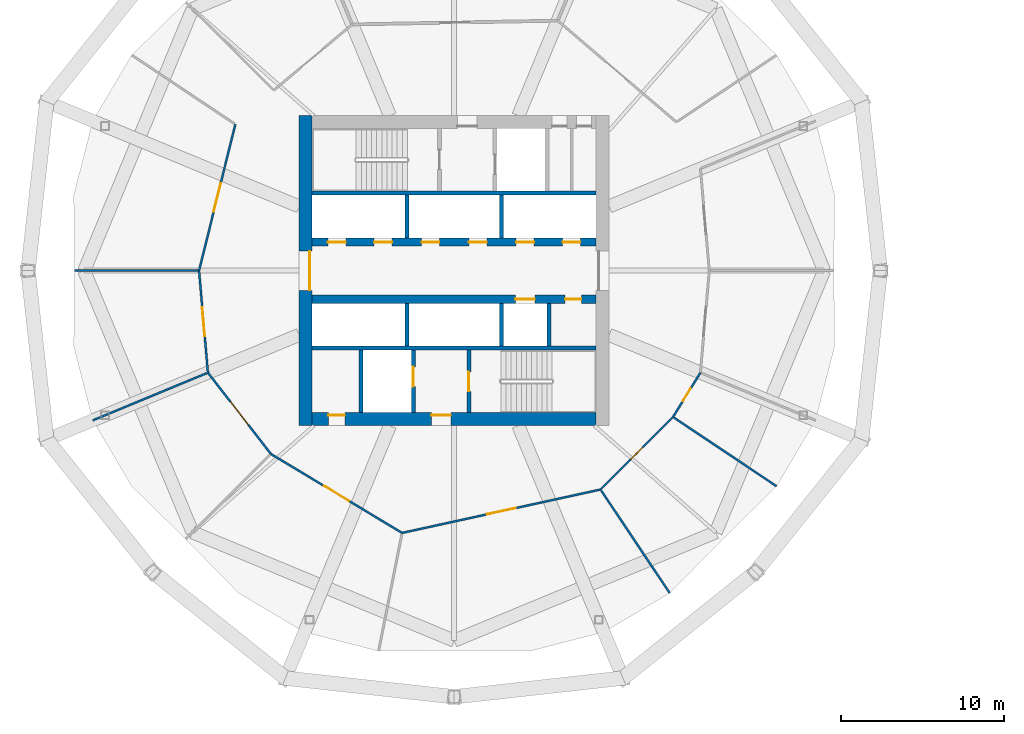
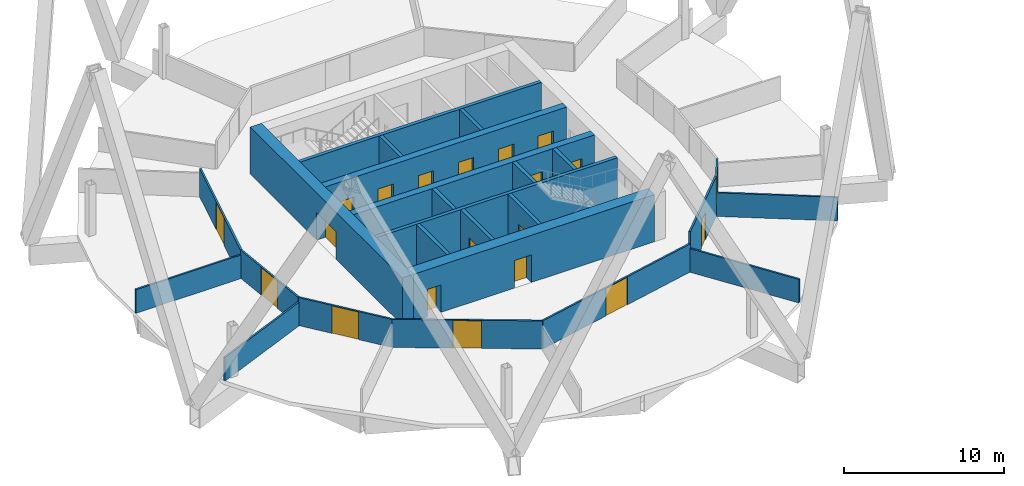
# One storey, part 4 of 9: 25 walls, 20 doors, 20 openings.
"""IFC4 building model written with IfcOpenShell, lengths in metres."""

from ifc_helpers import new_model, si_unit, direction, frame, frame_2d, origin, place, context, subcontext, project, spatial, rectangle, extrude, material, layer, layer_set, type_object, element, fill, save


model = new_model("IFC4")

# Units and contexts
model_context = context("Model", 3, precision=1e-05, world=origin(), true_north=direction((0.0, 1.0)))
body_context = subcontext(model_context, "Body", "Model", "MODEL_VIEW")
ifc_project = project(units=[si_unit("LENGTHUNIT", "METRE"), si_unit("AREAUNIT", "SQUARE_METRE"), si_unit("VOLUMEUNIT", "CUBIC_METRE"), si_unit("PLANEANGLEUNIT", "RADIAN"), si_unit("MASSUNIT", "GRAM", prefix="KILO")], contexts=[model_context])

# Site, building, storey
site_placement = place(None, origin())
site = spatial("IfcSite", under=ifc_project, at=site_placement, CompositionType="ELEMENT")
building_placement = place(site_placement, origin())
building = spatial("IfcBuilding", under=site, at=building_placement, Name="Ogive Gate Towers", CompositionType="ELEMENT")
storey_placement = place(building_placement, frame((0.0, 0.0, 95.699951171875)))
storey = spatial("IfcBuildingStorey", under=building, at=storey_placement, Name="L22", CompositionType="ELEMENT", Elevation=95.699951171875)

# Wall, openings, doors
ifc_material_1 = material(Name="Concrete C60/75", Category="concrete")
ifc_layer_1 = layer(ifc_material_1, 0.800048828125)
ifc_layer_set_1 = layer_set([ifc_layer_1], Name="Core wall 800 mm")
wall_type_1 = type_object("IfcWallType", Name="Core wall 800 mm", PredefinedType="SHEAR", material=ifc_layer_set_1)
wall_1_placement = place(storey_placement, frame((-44.699951171875, -9.10009765625, 0.0), z_axis=(0.0, 0.0, 1.0), x_axis=(1.0, 0.0, 0.0)))
wall_1 = element("IfcWall", 1, at=wall_1_placement, inside=storey, type_object=wall_type_1, Name="T1 L22 Core wall 800 mm", PredefinedType="SHEAR", context=body_context, shape_type="SweptSolid", body=[
    extrude(rectangle(XDim=17.39990234375, YDim=0.800048828125, at=frame_2d((8.699951171875, 0.0))), origin(), (0.0, 0.0, 1.0), 3.60009765625),
])
opening_1_placement = place(wall_1_placement, frame((7.300048828125, 0.0, 0.0)))
opening_1 = element("IfcOpeningElement", 2, at=opening_1_placement, cuts=wall_1, Name="Opening KD-T1-L22-16", PredefinedType="OPENING", context=body_context, shape_type="SweptSolid", body=[
    extrude(rectangle(XDim=1.199951171875, YDim=2.10009765625, at=frame_2d((0.60009765625, 1.050048828125))), frame((0.0, 0.41015625, 0.0), z_axis=(0.0, -1.0, 0.0), x_axis=(1.0, 0.0, 0.0)), (0.0, 0.0, 1.0), 0.820068359375),
])
opening_2_placement = place(wall_1_placement, frame((1.0, 0.0, 0.0)))
opening_2 = element("IfcOpeningElement", 3, at=opening_2_placement, cuts=wall_1, Name="Opening KD-T1-L22-19", PredefinedType="OPENING", context=body_context, shape_type="SweptSolid", body=[
    extrude(rectangle(XDim=1.0, YDim=2.10009765625, at=frame_2d((0.5, 1.050048828125))), frame((0.0, 0.41015625, 0.0), z_axis=(0.0, -1.0, 0.0), x_axis=(1.0, 0.0, 0.0)), (0.0, 0.0, 1.0), 0.820068359375),
])
ifc_material_2 = material(Name="Timber door", Category="wood")
door_type_1 = type_object("IfcDoorType", Name="Accessible WC door 1000 x 2100", OperationType="NOTDEFINED", PredefinedType="DOOR", material=ifc_material_2)
door_1_placement = place(opening_2_placement, origin())
door_1 = element("IfcDoor", 4, at=door_1_placement, inside=storey, type_object=door_type_1, Name="T1 L22 Core door", OperationType="SINGLE_SWING_RIGHT", OverallHeight=2.10009765625, OverallWidth=1.0, PredefinedType="DOOR", context=body_context, shape_type="SweptSolid", body=[
    extrude(rectangle(XDim=1.0, YDim=2.10009765625, at=frame_2d((0.5, 1.050048828125))), frame((0.0, 0.27490234375, 0.0), z_axis=(0.0, -1.0, 0.0), x_axis=(1.0, 0.0, 0.0)), (0.0, 0.0, 1.0), 0.050048828125),
])
fill(opening_2, door_1)
ifc_material_3 = material(Name="Steel fire door", Category="steel")
door_type_2 = type_object("IfcDoorType", Name="Core door FD60S 1200 x 2100", OperationType="NOTDEFINED", PredefinedType="DOOR", material=ifc_material_3)
door_2_placement = place(opening_1_placement, origin())
door_2 = element("IfcDoor", 5, at=door_2_placement, inside=storey, type_object=door_type_2, Name="T1 L22 Fire-fighting lobby door", OperationType="SINGLE_SWING_LEFT", OverallHeight=2.10009765625, OverallWidth=1.199951171875, PredefinedType="DOOR", context=body_context, shape_type="SweptSolid", body=[
    extrude(rectangle(XDim=1.199951171875, YDim=2.10009765625, at=frame_2d((0.60009765625, 1.050048828125))), frame((0.0, 0.27490234375, 0.0), z_axis=(0.0, -1.0, 0.0), x_axis=(1.0, 0.0, 0.0)), (0.0, 0.0, 1.0), 0.050048828125),
])
fill(opening_1, door_2)

# Wall, opening, door
wall_2_placement = place(storey_placement, frame((-45.10009765625, -9.5, 0.0), z_axis=(0.0, 0.0, 1.0), x_axis=(0.0, 1.0, 0.0)))
wall_2 = element("IfcWall", 6, at=wall_2_placement, inside=storey, type_object=wall_type_1, Name="T1 L22 Core wall 800 mm", PredefinedType="SHEAR", context=body_context, shape_type="SweptSolid", body=[
    extrude(rectangle(XDim=19.0, YDim=0.800048828125, at=frame_2d((9.5, 0.0))), origin(), (0.0, 0.0, 1.0), 3.60009765625),
])
opening_3_placement = place(wall_2_placement, frame((8.300048828125, 0.0, 0.0)))
opening_3 = element("IfcOpeningElement", 7, at=opening_3_placement, cuts=wall_2, Name="Opening KD-T1-L22-01", PredefinedType="OPENING", context=body_context, shape_type="SweptSolid", body=[
    extrude(rectangle(XDim=2.39990234375, YDim=2.10009765625, at=frame_2d((1.199951171875, 1.050048828125))), frame((0.0, 0.41015625, 0.0), z_axis=(0.0, -1.0, 0.0), x_axis=(1.0, 0.0, 0.0)), (0.0, 0.0, 1.0), 0.820068359375),
])
door_type_3 = type_object("IfcDoorType", Name="Core double door FD60S 2400 x 2100", OperationType="DOUBLE_DOOR_SINGLE_SWING", PredefinedType="DOOR", material=ifc_material_3)
door_3_placement = place(opening_3_placement, origin())
door_3 = element("IfcDoor", 8, at=door_3_placement, inside=storey, type_object=door_type_3, Name="T1 L22 Core door double", OperationType="DOUBLE_DOOR_SINGLE_SWING", OverallHeight=2.10009765625, OverallWidth=2.39990234375, PredefinedType="DOOR", context=body_context, shape_type="SweptSolid", body=[
    extrude(rectangle(XDim=2.39990234375, YDim=2.10009765625, at=frame_2d((1.199951171875, 1.050048828125))), frame((0.0, -0.22509765625, 0.0), z_axis=(0.0, -1.0, 0.0), x_axis=(1.0, 0.0, 0.0)), (0.0, 0.0, 1.0), 0.050048828125),
])
fill(opening_3, door_3)

# Walls
ifc_material_4 = material(Name="Gypsum board partition")
ifc_layer_2 = layer(ifc_material_4, 0.125)
ifc_layer_set_2 = layer_set([ifc_layer_2], Name="Partition 125")
wall_type_2 = type_object("IfcWallType", Name="Partition 125", PredefinedType="PARTITIONING", material=ifc_layer_set_2)
for number, where, z_axis, x_axis, name in (
    (9, (-59.26904296875, 0.0, 0.0), (0.0, 0.0, 1.0), (1.0, 0.0, 0.0), "Partition T1-L22-008"),
    (10, (-58.1455078125, -9.1728515625, 0.0), (0.0, 0.0, 1.0), (0.923883306307, 0.382674321488, 0.0), "Partition T1-L22-009"),
):
    element("IfcWall", number, at=place(storey_placement, frame(where, z_axis=z_axis, x_axis=x_axis)), inside=storey, type_object=wall_type_2, Name=name, PredefinedType="PARTITIONING", context=body_context, shape_type="SweptSolid", body=[
        extrude(rectangle(XDim=7.57666015625, YDim=0.125, at=frame_2d((3.788330078125, 0.0))), origin(), (0.0, 0.0, 1.0), 1.800048828125),
    ])
for number, where, z_axis, x_axis, name in (
    (11, (-22.7880859375, -19.759521484375, 0.0), (0.0, 0.0, 1.0), (-0.555822554951, 0.831300960788, 0.0), "Partition T1-L22-012"),
    (12, (-16.240478515625, -13.2119140625, 0.0), (0.0, 0.0, 1.0), (-0.831300960788, 0.555822554951, 0.0), "Partition T1-L22-013"),
):
    element("IfcWall", number, at=place(storey_placement, frame(where, z_axis=z_axis, x_axis=x_axis)), inside=storey, type_object=wall_type_2, Name=name, PredefinedType="PARTITIONING", context=body_context, shape_type="SweptSolid", body=[
        extrude(rectangle(XDim=7.576416015625, YDim=0.125, at=frame_2d((3.7880859375, 0.0))), origin(), (0.0, 0.0, 1.0), 1.800048828125),
    ])

# Wall, opening, door
wall_3_placement = place(storey_placement, frame((-49.4091796875, 8.9658203125, 0.0), z_axis=(0.0, 0.0, 1.0), x_axis=(-0.240420532382, -0.970668824888, 0.0)))
wall_3 = element("IfcWall", 13, at=wall_3_placement, inside=storey, type_object=wall_type_2, Name="Partition T1-L22-018", PredefinedType="PARTITIONING", context=body_context, shape_type="SweptSolid", body=[
    extrude(rectangle(XDim=9.23681640625, YDim=0.125, at=frame_2d((4.618408203125, 0.0))), origin(), (0.0, 0.0, 1.0), 2.14013671875),
])
opening_4_placement = place(wall_3_placement, frame((3.718017578125, 0.0, 0.0)))
opening_4 = element("IfcOpeningElement", 14, at=opening_4_placement, cuts=wall_3, Name="Opening T1-L22-D04", PredefinedType="OPENING", context=body_context, shape_type="SweptSolid", body=[
    extrude(rectangle(XDim=1.800048828125, YDim=2.10009765625, at=frame_2d((0.89990234375, 1.050048828125))), frame((0.0, 0.072509765625, 0.0), z_axis=(0.0, -1.0, 0.0), x_axis=(1.0, 0.0, 0.0)), (0.0, 0.0, 1.0), 0.14501953125),
])
door_type_4 = type_object("IfcDoorType", Name="Door pair 1800", OperationType="NOTDEFINED", PredefinedType="DOOR", material=ifc_material_2)
door_4_placement = place(opening_4_placement, origin())
door_4 = element("IfcDoor", 15, at=door_4_placement, inside=storey, type_object=door_type_4, Name="Door T1-L22-D04", OperationType="DOUBLE_DOOR_DOUBLE_SWING", OverallHeight=2.10009765625, OverallWidth=1.800048828125, PredefinedType="DOOR", context=body_context, shape_type="SweptSolid", body=[
    extrude(rectangle(XDim=1.800048828125, YDim=2.10009765625, at=frame_2d((0.89990234375, 1.050048828125))), frame((0.0, 0.02490234375, 0.0), z_axis=(0.0, -1.0, 0.0), x_axis=(1.0, 0.0, 0.0)), (0.0, 0.0, 1.0), 0.050048828125),
])
fill(opening_4, door_4)

wall_4_placement = place(storey_placement, frame((-51.6298828125, 0.0, 0.0), z_axis=(0.0, 0.0, 1.0), x_axis=(0.086401208682, -0.996260423352, 0.0)))
wall_4 = element("IfcWall", 16, at=wall_4_placement, inside=storey, type_object=wall_type_2, Name="Partition T1-L22-019", PredefinedType="PARTITIONING", context=body_context, shape_type="SweptSolid", body=[
    extrude(rectangle(XDim=6.27294921875, YDim=0.125, at=frame_2d((3.136474609375, 0.0))), origin(), (0.0, 0.0, 1.0), 2.14013671875),
])
opening_5_placement = place(wall_4_placement, frame((2.237060546875, 0.0, 0.0)))
opening_5 = element("IfcOpeningElement", 17, at=opening_5_placement, cuts=wall_4, Name="Opening T1-L22-D05", PredefinedType="OPENING", context=body_context, shape_type="SweptSolid", body=[
    extrude(rectangle(XDim=1.800048828125, YDim=2.10009765625, at=frame_2d((0.89990234375, 1.050048828125))), frame((0.0, 0.072509765625, 0.0), z_axis=(0.0, -1.0, 0.0), x_axis=(1.0, 0.0, 0.0)), (0.0, 0.0, 1.0), 0.14501953125),
])
door_5_placement = place(opening_5_placement, origin())
door_5 = element("IfcDoor", 18, at=door_5_placement, inside=storey, type_object=door_type_4, Name="Door T1-L22-D05", OperationType="DOUBLE_DOOR_DOUBLE_SWING", OverallHeight=2.10009765625, OverallWidth=1.800048828125, PredefinedType="DOOR", context=body_context, shape_type="SweptSolid", body=[
    extrude(rectangle(XDim=1.800048828125, YDim=2.10009765625, at=frame_2d((0.89990234375, 1.050048828125))), frame((0.0, 0.02490234375, 0.0), z_axis=(0.0, -1.0, 0.0), x_axis=(1.0, 0.0, 0.0)), (0.0, 0.0, 1.0), 0.050048828125),
])
fill(opening_5, door_5)

wall_5_placement = place(storey_placement, frame((-51.087890625, -6.24951171875, 0.0), z_axis=(0.0, 0.0, 1.0), x_axis=(0.612549874442, -0.790431939714, 0.0)))
wall_5 = element("IfcWall", 19, at=wall_5_placement, inside=storey, type_object=wall_type_2, Name="Partition T1-L22-020", PredefinedType="PARTITIONING", context=body_context, shape_type="SweptSolid", body=[
    extrude(rectangle(XDim=6.2998046875, YDim=0.125, at=frame_2d((3.14990234375, 0.0))), origin(), (0.0, 0.0, 1.0), 2.14013671875),
])
opening_6_placement = place(wall_5_placement, frame((2.25, 0.0, 0.0)))
opening_6 = element("IfcOpeningElement", 20, at=opening_6_placement, cuts=wall_5, Name="Opening T1-L22-D06", PredefinedType="OPENING", context=body_context, shape_type="SweptSolid", body=[
    extrude(rectangle(XDim=1.800048828125, YDim=2.10009765625, at=frame_2d((0.89990234375, 1.050048828125))), frame((0.0, 0.072509765625, 0.0), z_axis=(0.0, -1.0, 0.0), x_axis=(1.0, 0.0, 0.0)), (0.0, 0.0, 1.0), 0.14501953125),
])
door_6_placement = place(opening_6_placement, origin())
door_6 = element("IfcDoor", 21, at=door_6_placement, inside=storey, type_object=door_type_4, Name="Door T1-L22-D06", OperationType="DOUBLE_DOOR_DOUBLE_SWING", OverallHeight=2.10009765625, OverallWidth=1.800048828125, PredefinedType="DOOR", context=body_context, shape_type="SweptSolid", body=[
    extrude(rectangle(XDim=1.800048828125, YDim=2.10009765625, at=frame_2d((0.89990234375, 1.050048828125))), frame((0.0, 0.02490234375, 0.0), z_axis=(0.0, -1.0, 0.0), x_axis=(1.0, 0.0, 0.0)), (0.0, 0.0, 1.0), 0.050048828125),
])
fill(opening_6, door_6)

wall_6_placement = place(storey_placement, frame((-47.22900390625, -11.22900390625, 0.0), z_axis=(0.0, 0.0, 1.0), x_axis=(0.856791819127, -0.515662465841, 0.0)))
wall_6 = element("IfcWall", 22, at=wall_6_placement, inside=storey, type_object=wall_type_2, Name="Partition T1-L22-021", PredefinedType="PARTITIONING", context=body_context, shape_type="SweptSolid", body=[
    extrude(rectangle(XDim=9.3818359375, YDim=0.125, at=frame_2d((4.69091796875, 0.0))), origin(), (0.0, 0.0, 1.0), 2.14013671875),
])
opening_7_placement = place(wall_6_placement, frame((3.791015625, 0.0, 0.0)))
opening_7 = element("IfcOpeningElement", 23, at=opening_7_placement, cuts=wall_6, Name="Opening T1-L22-D07", PredefinedType="OPENING", context=body_context, shape_type="SweptSolid", body=[
    extrude(rectangle(XDim=1.800048828125, YDim=2.10009765625, at=frame_2d((0.89990234375, 1.050048828125))), frame((0.0, 0.072509765625, 0.0), z_axis=(0.0, -1.0, 0.0), x_axis=(1.0, 0.0, 0.0)), (0.0, 0.0, 1.0), 0.14501953125),
])
door_7_placement = place(opening_7_placement, origin())
door_7 = element("IfcDoor", 24, at=door_7_placement, inside=storey, type_object=door_type_4, Name="Door T1-L22-D07", OperationType="DOUBLE_DOOR_DOUBLE_SWING", OverallHeight=2.10009765625, OverallWidth=1.800048828125, PredefinedType="DOOR", context=body_context, shape_type="SweptSolid", body=[
    extrude(rectangle(XDim=1.800048828125, YDim=2.10009765625, at=frame_2d((0.89990234375, 1.050048828125))), frame((0.0, 0.02490234375, 0.0), z_axis=(0.0, -1.0, 0.0), x_axis=(1.0, 0.0, 0.0)), (0.0, 0.0, 1.0), 0.050048828125),
])
fill(opening_7, door_7)

wall_7_placement = place(storey_placement, frame((-39.190673828125, -16.06689453125, 0.0), z_axis=(0.0, 0.0, 1.0), x_axis=(0.976925481372, 0.213580438821, 0.0)))
wall_7 = element("IfcWall", 25, at=wall_7_placement, inside=storey, type_object=wall_type_2, Name="Partition T1-L22-022", PredefinedType="PARTITIONING", context=body_context, shape_type="SweptSolid", body=[
    extrude(rectangle(XDim=12.443603515625, YDim=0.125, at=frame_2d((6.2216796875, 0.0))), origin(), (0.0, 0.0, 1.0), 2.14013671875),
])
opening_8_placement = place(wall_7_placement, frame((5.322021484375, 0.0, 0.0)))
opening_8 = element("IfcOpeningElement", 26, at=opening_8_placement, cuts=wall_7, Name="Opening T1-L22-D08", PredefinedType="OPENING", context=body_context, shape_type="SweptSolid", body=[
    extrude(rectangle(XDim=1.800048828125, YDim=2.10009765625, at=frame_2d((0.89990234375, 1.050048828125))), frame((0.0, 0.072509765625, 0.0), z_axis=(0.0, -1.0, 0.0), x_axis=(1.0, 0.0, 0.0)), (0.0, 0.0, 1.0), 0.14501953125),
])
door_8_placement = place(opening_8_placement, origin())
door_8 = element("IfcDoor", 27, at=door_8_placement, inside=storey, type_object=door_type_4, Name="Door T1-L22-D08", OperationType="DOUBLE_DOOR_DOUBLE_SWING", OverallHeight=2.10009765625, OverallWidth=1.800048828125, PredefinedType="DOOR", context=body_context, shape_type="SweptSolid", body=[
    extrude(rectangle(XDim=1.800048828125, YDim=2.10009765625, at=frame_2d((0.89990234375, 1.050048828125))), frame((0.0, 0.02490234375, 0.0), z_axis=(0.0, -1.0, 0.0), x_axis=(1.0, 0.0, 0.0)), (0.0, 0.0, 1.0), 0.050048828125),
])
fill(opening_8, door_8)

wall_8_placement = place(storey_placement, frame((-27.0341796875, -13.4091796875, 0.0), z_axis=(0.0, 0.0, 1.0), x_axis=(0.707106781187, 0.707106781187, 0.0)))
wall_8 = element("IfcWall", 28, at=wall_8_placement, inside=storey, type_object=wall_type_2, Name="Partition T1-L22-023", PredefinedType="PARTITIONING", context=body_context, shape_type="SweptSolid", body=[
    extrude(rectangle(XDim=6.283935546875, YDim=0.125, at=frame_2d((3.14208984375, 0.0))), origin(), (0.0, 0.0, 1.0), 3.050048828125),
])
opening_9_placement = place(wall_8_placement, frame((2.64208984375, 0.0, 0.0)))
opening_9 = element("IfcOpeningElement", 29, at=opening_9_placement, cuts=wall_8, Name="Opening T1-L22-D09", PredefinedType="OPENING", context=body_context, shape_type="SweptSolid", body=[
    extrude(rectangle(XDim=1.0, YDim=2.10009765625, at=frame_2d((0.5, 1.050048828125))), frame((0.0, 0.072509765625, 0.0), z_axis=(0.0, -1.0, 0.0), x_axis=(1.0, 0.0, 0.0)), (0.0, 0.0, 1.0), 0.14501953125),
])
door_type_5 = type_object("IfcDoorType", Name="Door 1000", OperationType="NOTDEFINED", PredefinedType="DOOR", material=ifc_material_2)
door_9_placement = place(opening_9_placement, origin())
door_9 = element("IfcDoor", 30, at=door_9_placement, inside=storey, type_object=door_type_5, Name="Door T1-L22-D09", OperationType="SINGLE_SWING_LEFT", OverallHeight=2.10009765625, OverallWidth=1.0, PredefinedType="DOOR", context=body_context, shape_type="SweptSolid", body=[
    extrude(rectangle(XDim=1.0, YDim=2.10009765625, at=frame_2d((0.5, 1.050048828125))), frame((0.0, 0.02490234375, 0.0), z_axis=(0.0, -1.0, 0.0), x_axis=(1.0, 0.0, 0.0)), (0.0, 0.0, 1.0), 0.050048828125),
])
fill(opening_9, door_9)

wall_9_placement = place(storey_placement, frame((-22.5908203125, -8.9658203125, 0.0), z_axis=(0.0, 0.0, 1.0), x_axis=(0.525717493384, 0.850659225042, 0.0)))
wall_9 = element("IfcWall", 31, at=wall_9_placement, inside=storey, type_object=wall_type_2, Name="Partition T1-L22-024", PredefinedType="PARTITIONING", context=body_context, shape_type="SweptSolid", body=[
    extrude(rectangle(XDim=3.193115234375, YDim=0.125, at=frame_2d((1.5966796875, 0.0))), origin(), (0.0, 0.0, 1.0), 2.14013671875),
])
opening_10_placement = place(wall_9_placement, frame((1.14697265625, 0.0, 0.0)))
opening_10 = element("IfcOpeningElement", 32, at=opening_10_placement, cuts=wall_9, Name="Opening T1-L22-D10", PredefinedType="OPENING", context=body_context, shape_type="SweptSolid", body=[
    extrude(rectangle(XDim=0.89990234375, YDim=2.10009765625, at=frame_2d((0.449951171875, 1.050048828125))), frame((0.0, 0.072509765625, 0.0), z_axis=(0.0, -1.0, 0.0), x_axis=(1.0, 0.0, 0.0)), (0.0, 0.0, 1.0), 0.14501953125),
])
door_type_6 = type_object("IfcDoorType", Name="Door 900", OperationType="NOTDEFINED", PredefinedType="DOOR", material=ifc_material_2)
door_10_placement = place(opening_10_placement, origin())
door_10 = element("IfcDoor", 33, at=door_10_placement, inside=storey, type_object=door_type_6, Name="Door T1-L22-D10", OperationType="SINGLE_SWING_LEFT", OverallHeight=2.10009765625, OverallWidth=0.89990234375, PredefinedType="DOOR", context=body_context, shape_type="SweptSolid", body=[
    extrude(rectangle(XDim=0.89990234375, YDim=2.10009765625, at=frame_2d((0.449951171875, 1.050048828125))), frame((0.0, 0.02490234375, 0.0), z_axis=(0.0, -1.0, 0.0), x_axis=(1.0, 0.0, 0.0)), (0.0, 0.0, 1.0), 0.050048828125),
])
fill(opening_10, door_10)

# Walls
ifc_layer_3 = layer(ifc_material_1, 0.25)
ifc_layer_set_3 = layer_set([ifc_layer_3], Name="Shaft wall 250 mm")
wall_type_3 = type_object("IfcWallType", Name="Shaft wall 250 mm", PredefinedType="SHEAR", material=ifc_layer_set_3)
for number, where, z_axis, x_axis, name in (
    (34, (-44.699951171875, -4.75, 0.0), (0.0, 0.0, 1.0), (1.0, 0.0, 0.0), "T1 L22 Shaft wall 250 mm"),
    (35, (-44.699951171875, 4.75, 0.0), (0.0, 0.0, 1.0), (1.0, 0.0, 0.0), "T1 L22 Shaft wall 250 mm"),
):
    element("IfcWall", number, at=place(storey_placement, frame(where, z_axis=z_axis, x_axis=x_axis)), inside=storey, type_object=wall_type_3, Name=name, PredefinedType="SHEAR", context=body_context, shape_type="SweptSolid", body=[
        extrude(rectangle(XDim=17.39990234375, YDim=0.25, at=frame_2d((8.699951171875, 0.0))), origin(), (0.0, 0.0, 1.0), 3.60009765625),
    ])
wall_10_placement = place(storey_placement, frame((-41.699951171875, -8.699951171875, 0.0), z_axis=(0.0, 0.0, 1.0), x_axis=(0.0, 1.0, 0.0)))
element("IfcWall", 36, at=wall_10_placement, inside=storey, type_object=wall_type_3, Name="T1 L22 Shaft wall 250 mm", PredefinedType="SHEAR", context=body_context, shape_type="SweptSolid", body=[
    extrude(rectangle(XDim=3.824951171875, YDim=0.25, at=frame_2d((1.91259765625, 0.0))), origin(), (0.0, 0.0, 1.0), 3.60009765625),
])
for number, where, z_axis, x_axis, name in (
    (37, (-38.89990234375, -4.625, 0.0), (0.0, 0.0, 1.0), (0.0, 1.0, 0.0), "T1 L22 Shaft wall 250 mm"),
    (38, (-38.89990234375, 2.0, 0.0), (0.0, 0.0, 1.0), (0.0, 1.0, 0.0), "T1 L22 Shaft wall 250 mm"),
):
    element("IfcWall", number, at=place(storey_placement, frame(where, z_axis=z_axis, x_axis=x_axis)), inside=storey, type_object=wall_type_3, Name=name, PredefinedType="SHEAR", context=body_context, shape_type="SweptSolid", body=[
        extrude(rectangle(XDim=2.625, YDim=0.25, at=frame_2d((1.3125, 0.0))), origin(), (0.0, 0.0, 1.0), 3.60009765625),
    ])

# Wall, opening, door
wall_11_placement = place(storey_placement, frame((-38.5, -8.699951171875, 0.0), z_axis=(0.0, 0.0, 1.0), x_axis=(0.0, 1.0, 0.0)))
wall_11 = element("IfcWall", 39, at=wall_11_placement, inside=storey, type_object=wall_type_3, Name="T1 L22 Shaft wall 250 mm", PredefinedType="SHEAR", context=body_context, shape_type="SweptSolid", body=[
    extrude(rectangle(XDim=3.824951171875, YDim=0.25, at=frame_2d((1.91259765625, 0.0))), origin(), (0.0, 0.0, 1.0), 3.60009765625),
])
opening_11_placement = place(wall_11_placement, frame((1.60009765625, 0.0, 0.0)))
opening_11 = element("IfcOpeningElement", 40, at=opening_11_placement, cuts=wall_11, Name="Opening LD-T1-L22-11", PredefinedType="OPENING", context=body_context, shape_type="SweptSolid", body=[
    extrude(rectangle(XDim=1.199951171875, YDim=2.10009765625, at=frame_2d((0.60009765625, 1.050048828125))), frame((0.0, 0.135009765625, 0.0), z_axis=(0.0, -1.0, 0.0), x_axis=(1.0, 0.0, 0.0)), (0.0, 0.0, 1.0), 0.27001953125),
])
ifc_material_5 = material(Name="Stainless steel landing door", Category="steel")
door_type_7 = type_object("IfcDoorType", Name="Landing door 1200 x 2100", OperationType="SLIDING_TO_LEFT", PredefinedType="DOOR", material=ifc_material_5)
door_11_placement = place(opening_11_placement, origin())
door_11 = element("IfcDoor", 41, at=door_11_placement, inside=storey, type_object=door_type_7, Name="T1 L22 Lift landing door FF2", OperationType="SLIDING_TO_LEFT", OverallHeight=2.10009765625, OverallWidth=1.199951171875, PredefinedType="DOOR", context=body_context, shape_type="SweptSolid", body=[
    extrude(rectangle(XDim=1.199951171875, YDim=2.10009765625, at=frame_2d((0.60009765625, 1.050048828125))), frame((0.0, 0.02490234375, 0.0), z_axis=(0.0, -1.0, 0.0), x_axis=(1.0, 0.0, 0.0)), (0.0, 0.0, 1.0), 0.050048828125),
])
fill(opening_11, door_11)

wall_12_placement = place(storey_placement, frame((-35.10009765625, -8.699951171875, 0.0), z_axis=(0.0, 0.0, 1.0), x_axis=(0.0, 1.0, 0.0)))
wall_12 = element("IfcWall", 42, at=wall_12_placement, inside=storey, type_object=wall_type_3, Name="T1 L22 Shaft wall 250 mm", PredefinedType="SHEAR", context=body_context, shape_type="SweptSolid", body=[
    extrude(rectangle(XDim=3.824951171875, YDim=0.25, at=frame_2d((1.91259765625, 0.0))), origin(), (0.0, 0.0, 1.0), 3.60009765625),
])
opening_12_placement = place(wall_12_placement, frame((1.300048828125, 0.0, 0.0)))
opening_12 = element("IfcOpeningElement", 43, at=opening_12_placement, cuts=wall_12, Name="Opening KD-T1-L22-14", PredefinedType="OPENING", context=body_context, shape_type="SweptSolid", body=[
    extrude(rectangle(XDim=1.199951171875, YDim=2.10009765625, at=frame_2d((0.60009765625, 1.050048828125))), frame((0.0, 0.135009765625, 0.0), z_axis=(0.0, -1.0, 0.0), x_axis=(1.0, 0.0, 0.0)), (0.0, 0.0, 1.0), 0.27001953125),
])
door_12_placement = place(opening_12_placement, origin())
door_12 = element("IfcDoor", 44, at=door_12_placement, inside=storey, type_object=door_type_2, Name="T1 L22 Stair door", OperationType="SINGLE_SWING_LEFT", OverallHeight=2.10009765625, OverallWidth=1.199951171875, PredefinedType="DOOR", context=body_context, shape_type="SweptSolid", body=[
    extrude(rectangle(XDim=1.199951171875, YDim=2.10009765625, at=frame_2d((0.60009765625, 1.050048828125))), frame((0.0, 0.02490234375, 0.0), z_axis=(0.0, -1.0, 0.0), x_axis=(1.0, 0.0, 0.0)), (0.0, 0.0, 1.0), 0.050048828125),
])
fill(opening_12, door_12)

# Walls
for number, where, z_axis, x_axis, name in (
    (45, (-33.10009765625, -4.625, 0.0), (0.0, 0.0, 1.0), (0.0, 1.0, 0.0), "T1 L22 Shaft wall 250 mm"),
    (46, (-33.10009765625, 2.0, 0.0), (0.0, 0.0, 1.0), (0.0, 1.0, 0.0), "T1 L22 Shaft wall 250 mm"),
    (47, (-30.199951171875, -4.625, 0.0), (0.0, 0.0, 1.0), (0.0, 1.0, 0.0), "T1 L22 Shaft wall 250 mm"),
):
    element("IfcWall", number, at=place(storey_placement, frame(where, z_axis=z_axis, x_axis=x_axis)), inside=storey, type_object=wall_type_3, Name=name, PredefinedType="SHEAR", context=body_context, shape_type="SweptSolid", body=[
        extrude(rectangle(XDim=2.625, YDim=0.25, at=frame_2d((1.3125, 0.0))), origin(), (0.0, 0.0, 1.0), 3.60009765625),
    ])

# Wall, openings, doors
ifc_layer_4 = layer(ifc_material_1, 0.5)
ifc_layer_set_4 = layer_set([ifc_layer_4], Name="Spine wall 500 mm")
wall_type_4 = type_object("IfcWallType", Name="Spine wall 500 mm", PredefinedType="SHEAR", material=ifc_layer_set_4)
wall_13_placement = place(storey_placement, frame((-44.699951171875, -1.75, 0.0), z_axis=(0.0, 0.0, 1.0), x_axis=(1.0, 0.0, 0.0)))
wall_13 = element("IfcWall", 48, at=wall_13_placement, inside=storey, type_object=wall_type_4, Name="T1 L22 Spine wall 500 mm", PredefinedType="SHEAR", context=body_context, shape_type="SweptSolid", body=[
    extrude(rectangle(XDim=17.39990234375, YDim=0.5, at=frame_2d((8.699951171875, 0.0))), origin(), (0.0, 0.0, 1.0), 3.60009765625),
])
opening_13_placement = place(wall_13_placement, frame((12.449951171875, 0.0, 0.0)))
opening_13 = element("IfcOpeningElement", 49, at=opening_13_placement, cuts=wall_13, Name="Opening LD-T1-L22-09", PredefinedType="OPENING", context=body_context, shape_type="SweptSolid", body=[
    extrude(rectangle(XDim=1.199951171875, YDim=2.10009765625, at=frame_2d((0.60009765625, 1.050048828125))), frame((0.0, 0.260009765625, 0.0), z_axis=(0.0, -1.0, 0.0), x_axis=(1.0, 0.0, 0.0)), (0.0, 0.0, 1.0), 0.52001953125),
])
opening_14_placement = place(wall_13_placement, frame((15.5, 0.0, 0.0)))
opening_14 = element("IfcOpeningElement", 50, at=opening_14_placement, cuts=wall_13, Name="Opening KD-T1-L22-12", PredefinedType="OPENING", context=body_context, shape_type="SweptSolid", body=[
    extrude(rectangle(XDim=1.0, YDim=2.10009765625, at=frame_2d((0.5, 1.050048828125))), frame((0.0, 0.260009765625, 0.0), z_axis=(0.0, -1.0, 0.0), x_axis=(1.0, 0.0, 0.0)), (0.0, 0.0, 1.0), 0.52001953125),
])
door_type_8 = type_object("IfcDoorType", Name="Core door FD60S 1000 x 2100", OperationType="NOTDEFINED", PredefinedType="DOOR", material=ifc_material_3)
door_13_placement = place(opening_14_placement, origin())
door_13 = element("IfcDoor", 51, at=door_13_placement, inside=storey, type_object=door_type_8, Name="T1 L22 Core door", OperationType="SINGLE_SWING_LEFT", OverallHeight=2.10009765625, OverallWidth=1.0, PredefinedType="DOOR", context=body_context, shape_type="SweptSolid", body=[
    extrude(rectangle(XDim=1.0, YDim=2.10009765625, at=frame_2d((0.5, 1.050048828125))), frame((0.0, 0.02490234375, 0.0), z_axis=(0.0, -1.0, 0.0), x_axis=(1.0, 0.0, 0.0)), (0.0, 0.0, 1.0), 0.050048828125),
])
fill(opening_14, door_13)
door_14_placement = place(opening_13_placement, origin())
door_14 = element("IfcDoor", 52, at=door_14_placement, inside=storey, type_object=door_type_7, Name="T1 L22 Lift landing door SVC", OperationType="SLIDING_TO_LEFT", OverallHeight=2.10009765625, OverallWidth=1.199951171875, PredefinedType="DOOR", context=body_context, shape_type="SweptSolid", body=[
    extrude(rectangle(XDim=1.199951171875, YDim=2.10009765625, at=frame_2d((0.60009765625, 1.050048828125))), frame((0.0, 0.02490234375, 0.0), z_axis=(0.0, -1.0, 0.0), x_axis=(1.0, 0.0, 0.0)), (0.0, 0.0, 1.0), 0.050048828125),
])
fill(opening_13, door_14)

wall_14_placement = place(storey_placement, frame((-44.699951171875, 1.75, 0.0), z_axis=(0.0, 0.0, 1.0), x_axis=(1.0, 0.0, 0.0)))
wall_14 = element("IfcWall", 53, at=wall_14_placement, inside=storey, type_object=wall_type_4, Name="T1 L22 Spine wall 500 mm", PredefinedType="SHEAR", context=body_context, shape_type="SweptSolid", body=[
    extrude(rectangle(XDim=17.39990234375, YDim=0.5, at=frame_2d((8.699951171875, 0.0))), origin(), (0.0, 0.0, 1.0), 3.60009765625),
])
opening_15_placement = place(wall_14_placement, frame((0.96240234375, 0.0, 0.0)))
opening_15 = element("IfcOpeningElement", 54, at=opening_15_placement, cuts=wall_14, Name="Opening LD-T1-L22-03", PredefinedType="OPENING", context=body_context, shape_type="SweptSolid", body=[
    extrude(rectangle(XDim=1.10009765625, YDim=2.10009765625, at=frame_2d((0.550048828125, 1.050048828125))), frame((0.0, 0.260009765625, 0.0), z_axis=(0.0, -1.0, 0.0), x_axis=(1.0, 0.0, 0.0)), (0.0, 0.0, 1.0), 0.52001953125),
])
opening_16_placement = place(wall_14_placement, frame((3.800048828125, 0.0, 0.0)))
opening_16 = element("IfcOpeningElement", 55, at=opening_16_placement, cuts=wall_14, Name="Opening LD-T1-L22-04", PredefinedType="OPENING", context=body_context, shape_type="SweptSolid", body=[
    extrude(rectangle(XDim=1.10009765625, YDim=2.10009765625, at=frame_2d((0.550048828125, 1.050048828125))), frame((0.0, 0.260009765625, 0.0), z_axis=(0.0, -1.0, 0.0), x_axis=(1.0, 0.0, 0.0)), (0.0, 0.0, 1.0), 0.52001953125),
])
opening_17_placement = place(wall_14_placement, frame((6.699951171875, 0.0, 0.0)))
opening_17 = element("IfcOpeningElement", 56, at=opening_17_placement, cuts=wall_14, Name="Opening LD-T1-L22-05", PredefinedType="OPENING", context=body_context, shape_type="SweptSolid", body=[
    extrude(rectangle(XDim=1.10009765625, YDim=2.10009765625, at=frame_2d((0.550048828125, 1.050048828125))), frame((0.0, 0.260009765625, 0.0), z_axis=(0.0, -1.0, 0.0), x_axis=(1.0, 0.0, 0.0)), (0.0, 0.0, 1.0), 0.52001953125),
])
opening_18_placement = place(wall_14_placement, frame((9.60009765625, 0.0, 0.0)))
opening_18 = element("IfcOpeningElement", 57, at=opening_18_placement, cuts=wall_14, Name="Opening LD-T1-L22-06", PredefinedType="OPENING", context=body_context, shape_type="SweptSolid", body=[
    extrude(rectangle(XDim=1.10009765625, YDim=2.10009765625, at=frame_2d((0.550048828125, 1.050048828125))), frame((0.0, 0.260009765625, 0.0), z_axis=(0.0, -1.0, 0.0), x_axis=(1.0, 0.0, 0.0)), (0.0, 0.0, 1.0), 0.52001953125),
])
opening_19_placement = place(wall_14_placement, frame((12.5, 0.0, 0.0)))
opening_19 = element("IfcOpeningElement", 58, at=opening_19_placement, cuts=wall_14, Name="Opening LD-T1-L22-07", PredefinedType="OPENING", context=body_context, shape_type="SweptSolid", body=[
    extrude(rectangle(XDim=1.10009765625, YDim=2.10009765625, at=frame_2d((0.550048828125, 1.050048828125))), frame((0.0, 0.260009765625, 0.0), z_axis=(0.0, -1.0, 0.0), x_axis=(1.0, 0.0, 0.0)), (0.0, 0.0, 1.0), 0.52001953125),
])
opening_20_placement = place(wall_14_placement, frame((15.33740234375, 0.0, 0.0)))
opening_20 = element("IfcOpeningElement", 59, at=opening_20_placement, cuts=wall_14, Name="Opening LD-T1-L22-08", PredefinedType="OPENING", context=body_context, shape_type="SweptSolid", body=[
    extrude(rectangle(XDim=1.10009765625, YDim=2.10009765625, at=frame_2d((0.550048828125, 1.050048828125))), frame((0.0, 0.260009765625, 0.0), z_axis=(0.0, -1.0, 0.0), x_axis=(1.0, 0.0, 0.0)), (0.0, 0.0, 1.0), 0.52001953125),
])
door_type_9 = type_object("IfcDoorType", Name="Landing door 1100 x 2100", OperationType="SLIDING_TO_LEFT", PredefinedType="DOOR", material=ifc_material_5)
door_15_placement = place(opening_15_placement, origin())
door_15 = element("IfcDoor", 60, at=door_15_placement, inside=storey, type_object=door_type_9, Name="T1 L22 Lift landing door A1", OperationType="SLIDING_TO_LEFT", OverallHeight=2.10009765625, OverallWidth=1.10009765625, PredefinedType="DOOR", context=body_context, shape_type="SweptSolid", body=[
    extrude(rectangle(XDim=1.10009765625, YDim=2.10009765625, at=frame_2d((0.550048828125, 1.050048828125))), frame((0.0, 0.02490234375, 0.0), z_axis=(0.0, -1.0, 0.0), x_axis=(1.0, 0.0, 0.0)), (0.0, 0.0, 1.0), 0.050048828125),
])
fill(opening_15, door_15)
door_16_placement = place(opening_16_placement, origin())
door_16 = element("IfcDoor", 61, at=door_16_placement, inside=storey, type_object=door_type_9, Name="T1 L22 Lift landing door A2", OperationType="SLIDING_TO_LEFT", OverallHeight=2.10009765625, OverallWidth=1.10009765625, PredefinedType="DOOR", context=body_context, shape_type="SweptSolid", body=[
    extrude(rectangle(XDim=1.10009765625, YDim=2.10009765625, at=frame_2d((0.550048828125, 1.050048828125))), frame((0.0, 0.02490234375, 0.0), z_axis=(0.0, -1.0, 0.0), x_axis=(1.0, 0.0, 0.0)), (0.0, 0.0, 1.0), 0.050048828125),
])
fill(opening_16, door_16)
door_17_placement = place(opening_17_placement, origin())
door_17 = element("IfcDoor", 62, at=door_17_placement, inside=storey, type_object=door_type_9, Name="T1 L22 Lift landing door A3", OperationType="SLIDING_TO_LEFT", OverallHeight=2.10009765625, OverallWidth=1.10009765625, PredefinedType="DOOR", context=body_context, shape_type="SweptSolid", body=[
    extrude(rectangle(XDim=1.10009765625, YDim=2.10009765625, at=frame_2d((0.550048828125, 1.050048828125))), frame((0.0, 0.02490234375, 0.0), z_axis=(0.0, -1.0, 0.0), x_axis=(1.0, 0.0, 0.0)), (0.0, 0.0, 1.0), 0.050048828125),
])
fill(opening_17, door_17)
door_18_placement = place(opening_18_placement, origin())
door_18 = element("IfcDoor", 63, at=door_18_placement, inside=storey, type_object=door_type_9, Name="T1 L22 Lift landing door A4", OperationType="SLIDING_TO_LEFT", OverallHeight=2.10009765625, OverallWidth=1.10009765625, PredefinedType="DOOR", context=body_context, shape_type="SweptSolid", body=[
    extrude(rectangle(XDim=1.10009765625, YDim=2.10009765625, at=frame_2d((0.550048828125, 1.050048828125))), frame((0.0, 0.02490234375, 0.0), z_axis=(0.0, -1.0, 0.0), x_axis=(1.0, 0.0, 0.0)), (0.0, 0.0, 1.0), 0.050048828125),
])
fill(opening_18, door_18)
door_19_placement = place(opening_19_placement, origin())
door_19 = element("IfcDoor", 64, at=door_19_placement, inside=storey, type_object=door_type_9, Name="T1 L22 Lift landing door A5", OperationType="SLIDING_TO_LEFT", OverallHeight=2.10009765625, OverallWidth=1.10009765625, PredefinedType="DOOR", context=body_context, shape_type="SweptSolid", body=[
    extrude(rectangle(XDim=1.10009765625, YDim=2.10009765625, at=frame_2d((0.550048828125, 1.050048828125))), frame((0.0, 0.02490234375, 0.0), z_axis=(0.0, -1.0, 0.0), x_axis=(1.0, 0.0, 0.0)), (0.0, 0.0, 1.0), 0.050048828125),
])
fill(opening_19, door_19)
door_20_placement = place(opening_20_placement, origin())
door_20 = element("IfcDoor", 65, at=door_20_placement, inside=storey, type_object=door_type_9, Name="T1 L22 Lift landing door A6", OperationType="SLIDING_TO_LEFT", OverallHeight=2.10009765625, OverallWidth=1.10009765625, PredefinedType="DOOR", context=body_context, shape_type="SweptSolid", body=[
    extrude(rectangle(XDim=1.10009765625, YDim=2.10009765625, at=frame_2d((0.550048828125, 1.050048828125))), frame((0.0, 0.02490234375, 0.0), z_axis=(0.0, -1.0, 0.0), x_axis=(1.0, 0.0, 0.0)), (0.0, 0.0, 1.0), 0.050048828125),
])
fill(opening_20, door_20)

save(model, "model.ifc")
